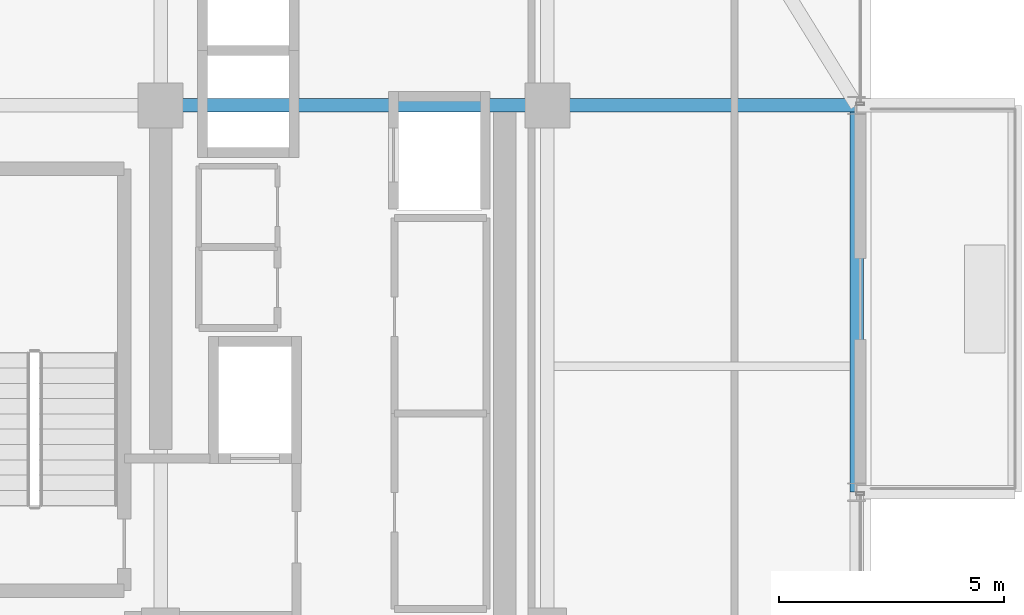
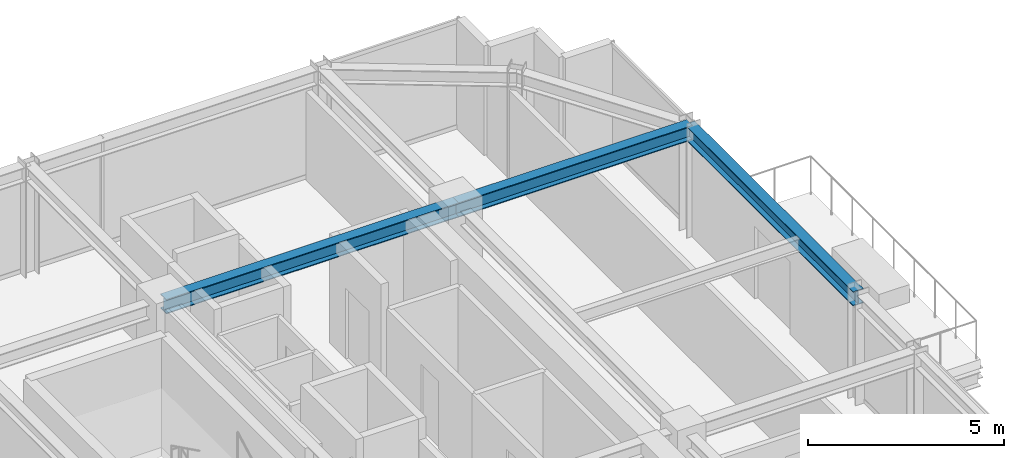
# One storey, part 25 of 36: 3 beams.
"""IFC4 building model written with IfcOpenShell, lengths in metres."""

import ifcopenshell
import ifcopenshell.guid

model = None  # the IFC model being written
_history = None  # IfcOwnerHistory: only IFC2X3 demands one
_inside = {}  # id of a spatial element -> (the spatial element, [elements in it])
_under = {}  # id of a project, library or spatial element -> (it, [spatial elements below it])
_declared = {}  # id of a project -> (the project, [libraries it declares])
_typed = {}  # id of a type object -> (the type object, [elements of that type])
_made_of = {}  # id of a material, layer set ... -> (it, [elements and type objects made of it])


def new_model(schema):
    """Start an empty IFC model of exactly this schema.

    Asked for "IFC4X3", IfcOpenShell would pick the latest addendum, in which some entities
    have other attributes; the version numbers below select the first issue.
    IFC2X3 requires an IfcOwnerHistory on every rooted entity: one is made here for all.
    """
    global model, _history
    if schema == "IFC4X3":
        model = ifcopenshell.file(schema_version=(4, 3, 0, 0))
    else:
        model = ifcopenshell.file(schema=schema)
    _inside.clear()
    _under.clear()
    _declared.clear()
    _typed.clear()
    _made_of.clear()
    _history = None
    if model.schema == "IFC2X3":
        org = make("IfcOrganization", Name="unknown")
        user = make(
            "IfcPersonAndOrganization",
            ThePerson=make("IfcPerson", FamilyName="unknown"),
            TheOrganization=org,
        )
        app = make(
            "IfcApplication",
            ApplicationDeveloper=org,
            Version="unknown",
            ApplicationFullName="unknown",
            ApplicationIdentifier="unknown",
        )
        _history = make(
            "IfcOwnerHistory",
            OwningUser=user,
            OwningApplication=app,
            ChangeAction="ADDED",
            CreationDate=0,
        )
    return model


def make(cls, **values):
    """One entity of the class cls with the attributes given. An attribute that is None is left unset."""
    return model.create_entity(
        cls, **{name: value for name, value in values.items() if value is not None}
    )


def rooted(cls, **values):
    """An entity with a GlobalId (a new one), such as an element, a storey or a relation."""
    return make(cls, GlobalId=ifcopenshell.guid.new(), OwnerHistory=_history, **values)


def si_unit(unit_type, name, prefix=None):
    """IfcSIUnit, for example si_unit("LENGTHUNIT", "METRE", prefix="MILLI")."""
    return make("IfcSIUnit", UnitType=unit_type, Prefix=prefix, Name=name)


def assignment(units):
    """IfcUnitAssignment: the units of a project."""
    return None if units is None else make("IfcUnitAssignment", Units=units)


def point(xyz):
    """IfcCartesianPoint."""
    return None if xyz is None else make("IfcCartesianPoint", Coordinates=xyz)


def direction(xyz):
    """IfcDirection."""
    return None if xyz is None else make("IfcDirection", DirectionRatios=xyz)


def frame(location, z_axis=None, x_axis=None):
    """IfcAxis2Placement3D, a coordinate frame: its origin and axes. An axis left out is left unset."""
    return make(
        "IfcAxis2Placement3D",
        Location=point(location),
        Axis=direction(z_axis),
        RefDirection=direction(x_axis),
    )


def frame_2d(location, x_axis=None):
    """IfcAxis2Placement2D, a coordinate frame in the plane: its origin and x axis."""
    return make(
        "IfcAxis2Placement2D", Location=point(location), RefDirection=direction(x_axis)
    )


def origin():
    """The frame at (0, 0, 0) with its axes left unset."""
    return frame((0.0, 0.0, 0.0))


def origin_2d():
    """The frame at (0, 0) in the plane with its x axis left unset."""
    return frame_2d((0.0, 0.0))


def place(relative_to, where):
    """IfcLocalPlacement: puts the frame where relative to a parent placement (None: the world)."""
    return make(
        "IfcLocalPlacement", PlacementRelTo=relative_to, RelativePlacement=where
    )


def context(
    kind, dimensions, precision=None, world=None, true_north=None, identifier=None
):
    """IfcGeometricRepresentationContext, for example the 3D "Model" context."""
    return make(
        "IfcGeometricRepresentationContext",
        ContextIdentifier=identifier,
        ContextType=kind,
        CoordinateSpaceDimension=dimensions,
        Precision=precision,
        WorldCoordinateSystem=world,
        TrueNorth=true_north,
    )


def subcontext(parent, identifier, kind, view, scale=None):
    """IfcGeometricRepresentationSubContext, for example "Body" below "Model"."""
    return make(
        "IfcGeometricRepresentationSubContext",
        ContextIdentifier=identifier,
        ContextType=kind,
        ParentContext=parent,
        TargetScale=scale,
        TargetView=view,
    )


def project(units=None, contexts=None):
    """IfcProject with its units and contexts."""
    return rooted(
        "IfcProject",
        Name="project",
        RepresentationContexts=contexts,
        UnitsInContext=assignment(units),
    )


def spatial(cls, under=None, at=None, **own):
    """A site, building, storey or space (cls), placed at a placement, below another one or the project."""
    s = rooted(cls, ObjectPlacement=at, **own)
    if under is not None:
        _under.setdefault(under.id(), (under, []))[1].append(s)
    return s


def profile(cls, at=None, kind="AREA", **sizes):
    """A parametric profile (cls). Its sizes go by their IFC names, for example OverallWidth=200.0."""
    return make(cls, ProfileType=kind, Position=at, **sizes)


def i_section(**sizes):
    """IfcIShapeProfileDef."""
    return profile("IfcIShapeProfileDef", **sizes)


def extrude(swept, where, along, depth):
    """IfcExtrudedAreaSolid: the profile swept, set in the frame where, extruded along a direction by depth."""
    return make(
        "IfcExtrudedAreaSolid",
        SweptArea=swept,
        Position=where,
        ExtrudedDirection=direction(along),
        Depth=depth,
    )


def shape(context_of_items, identifier, shape_type, items):
    """IfcShapeRepresentation: the items that make up one representation, for example the "Body"."""
    return make(
        "IfcShapeRepresentation",
        ContextOfItems=context_of_items,
        RepresentationIdentifier=identifier,
        RepresentationType=shape_type,
        Items=items,
    )


def source(mapping_origin, context_of_items, identifier, shape_type, items):
    """IfcRepresentationMap: a shape defined once, which mapped items show again and again."""
    return make(
        "IfcRepresentationMap",
        MappingOrigin=mapping_origin,
        MappedRepresentation=shape(context_of_items, identifier, shape_type, items),
    )


def transform(
    local_origin,
    x_axis=None,
    y_axis=None,
    z_axis=None,
    scale=None,
    scale2=None,
    scale3=None,
    uniform=True,
):
    """IfcCartesianTransformationOperator3D, or its non-uniform kind. x_axis, y_axis, z_axis: its Axis1, 2, 3."""
    if uniform:
        return make(
            "IfcCartesianTransformationOperator3D",
            Axis1=direction(x_axis),
            Axis2=direction(y_axis),
            LocalOrigin=point(local_origin),
            Scale=scale,
            Axis3=direction(z_axis),
        )
    return make(
        "IfcCartesianTransformationOperator3DnonUniform",
        Axis1=direction(x_axis),
        Axis2=direction(y_axis),
        LocalOrigin=point(local_origin),
        Scale=scale,
        Axis3=direction(z_axis),
        Scale2=scale2,
        Scale3=scale3,
    )


def mapped(mapping_source, mapping_target):
    """IfcMappedItem: shows the shape of a source again, moved by a transform."""
    return make(
        "IfcMappedItem", MappingSource=mapping_source, MappingTarget=mapping_target
    )


def material(Name=None, Category=None):
    """IfcMaterial."""
    return make("IfcMaterial", Name=Name, Category=Category)


def material_profile(
    of_material, cross_section, Name=None, Category=None, Priority=None
):
    """IfcMaterialProfile: a cross section and its material."""
    return make(
        "IfcMaterialProfile",
        Name=Name,
        Material=of_material,
        Profile=cross_section,
        Priority=Priority,
        Category=Category,
    )


def profile_set(profiles, Name=None, composite=None):
    """IfcMaterialProfileSet."""
    return make(
        "IfcMaterialProfileSet",
        Name=Name,
        MaterialProfiles=profiles,
        CompositeProfile=composite,
    )


def made_of(thing, what):
    """Note that an element or type object is made of a material, layer set ...; save() writes the relation."""
    if what is not None:
        _made_of.setdefault(what.id(), (what, []))[1].append(thing)
    return thing


def type_object(cls, material=None, **own):
    """A type object (cls), such as IfcWallType, which elements share."""
    return made_of(rooted(cls, **own), material)


def element(
    cls,
    number,
    at=None,
    inside=None,
    cuts=None,
    type_object=None,
    material=None,
    context=None,
    identifier="Body",
    shape_type=None,
    held_by="IfcProductDefinitionShape",
    body=None,
    shapes=None,
    **own,
):
    """One element of the class cls, such as IfcWall. Its Tag is "e" and its number.

    at: its placement. inside: the storey or other place that contains it. cuts: it is an
    opening in that element (IfcRelVoidsElement). A single representation is given by context,
    identifier, shape_type and body (its items); several are given by shapes. held_by: the class
    of the entity that holds the representations. save() writes the other relations.
    """
    e = rooted(cls, Tag="e%d" % number, ObjectPlacement=at, **own)
    if body is not None:
        shapes = [shape(context, identifier, shape_type, body)]
    if shapes is not None:
        e.Representation = make(held_by, Representations=shapes)
    if inside is not None:
        _inside.setdefault(inside.id(), (inside, []))[1].append(e)
    if cuts is not None:
        rooted(
            "IfcRelVoidsElement", RelatingBuildingElement=cuts, RelatedOpeningElement=e
        )
    if type_object is not None:
        _typed.setdefault(type_object.id(), (type_object, []))[1].append(e)
    return made_of(e, material)


def aggregate(whole, parts):
    """IfcRelAggregates: a whole, such as a stair, and the parts it consists of."""
    return rooted("IfcRelAggregates", RelatingObject=whole, RelatedObjects=parts)


def save(model, path):
    """Write the relations noted so far, then the file.

    IfcRelAggregates (storeys below a building ...), IfcRelContainedInSpatialStructure (elements
    in a storey), IfcRelDefinesByType, IfcRelAssociatesMaterial and IfcRelDeclares: one each for
    every whole, place, type object, material and project.
    """
    for whole, parts in _under.values():
        aggregate(whole, parts)
    for where, things in _inside.values():
        rooted(
            "IfcRelContainedInSpatialStructure",
            RelatedElements=things,
            RelatingStructure=where,
        )
    for kind, things in _typed.values():
        rooted("IfcRelDefinesByType", RelatedObjects=things, RelatingType=kind)
    for what, things in _made_of.values():
        rooted("IfcRelAssociatesMaterial", RelatedObjects=things, RelatingMaterial=what)
    for by, libraries in _declared.values():
        rooted("IfcRelDeclares", RelatingContext=by, RelatedDefinitions=libraries)
    model.write(path)


model = new_model("IFC4")

# Units and contexts
model_context = context("Model", 3, precision=1e-05, world=origin(), true_north=direction((0.0, 1.0)))
body_context = subcontext(model_context, "Body", "Model", "MODEL_VIEW")
ifc_project = project(units=[si_unit("LENGTHUNIT", "METRE"), si_unit("AREAUNIT", "SQUARE_METRE"), si_unit("VOLUMEUNIT", "CUBIC_METRE"), si_unit("PLANEANGLEUNIT", "RADIAN"), si_unit("MASSUNIT", "GRAM", prefix="KILO")], contexts=[model_context])

# Site, building, storey
site_placement = place(None, origin())
site = spatial("IfcSite", under=ifc_project, at=site_placement, CompositionType="ELEMENT")
building_placement = place(site_placement, origin())
building = spatial("IfcBuilding", under=site, at=building_placement, Name="Nahalor Promenade Grand Hotel", CompositionType="ELEMENT")
storey_placement = place(building_placement, frame((0.0, 0.0, 253.0)))
storey = spatial("IfcBuildingStorey", under=building, at=storey_placement, Name="L65", CompositionType="ELEMENT", Elevation=253.0)

# Beams
ifc_material = material(Name="Steel S355JR", Category="steel")
ifc_material_profile_1 = material_profile(ifc_material, i_section(OverallWidth=0.3, OverallDepth=0.45, WebThickness=0.014, FlangeThickness=0.026, at=origin_2d()), Name="HEB 450")
ifc_profile_set_1 = profile_set([ifc_material_profile_1], Name="Steel S355JR")
beam_type_1 = type_object("IfcBeamType", Name="Beam-Spandrel-HEB450", PredefinedType="SPANDREL", material=ifc_profile_set_1)
shared_shape_1 = source(origin(), body_context, "Body", "SweptSolid", [
    extrude(i_section(OverallWidth=0.3, OverallDepth=0.45, WebThickness=0.014, FlangeThickness=0.026, at=origin_2d()), origin(), (0.0, 0.0, 1.0), 8.60009765625),
])
beam_1_placement = place(storey_placement, frame((23.8798828125, 8.39990234375, 3.18505859375), z_axis=(0.0, 1.0, 0.0), x_axis=(-1.0, 0.0, 0.0)))
element("IfcBeam", 1, at=beam_1_placement, inside=storey, type_object=beam_type_1, Name="BM-L65-SP-E-4", PredefinedType="SPANDREL", context=body_context, shape_type="MappedRepresentation", body=[
    mapped(shared_shape_1, transform((0.0, 0.0, 0.0), scale=1.0)),
])
ifc_material_profile_2 = material_profile(ifc_material, i_section(OverallWidth=0.3, OverallDepth=0.45, WebThickness=0.014, FlangeThickness=0.026, at=origin_2d()), Name="HEB 450")
ifc_profile_set_2 = profile_set([ifc_material_profile_2], Name="Steel S355JR")
beam_type_2 = type_object("IfcBeamType", Name="Beam-Girder-HEB450", PredefinedType="BEAM", material=ifc_profile_set_2)
shared_shape_2 = source(origin(), body_context, "Body", "SweptSolid", [
    extrude(i_section(OverallWidth=0.3, OverallDepth=0.45, WebThickness=0.014, FlangeThickness=0.026, at=origin_2d()), origin(), (0.0, 0.0, 1.0), 6.8798828125),
])
beam_2_placement = place(storey_placement, frame((17.0, 17.0, 3.18505859375), z_axis=(1.0, 0.0, 0.0), x_axis=(0.0, 1.0, 0.0)))
element("IfcBeam", 2, at=beam_2_placement, inside=storey, type_object=beam_type_2, Name="BM-L65-GX-3-6", PredefinedType="BEAM", context=body_context, shape_type="MappedRepresentation", body=[
    mapped(shared_shape_2, transform((0.0, 0.0, 0.0), scale=1.0)),
])
shared_shape_3 = source(origin(), body_context, "Body", "SweptSolid", [
    extrude(i_section(OverallWidth=0.3, OverallDepth=0.45, WebThickness=0.014, FlangeThickness=0.026, at=origin_2d()), origin(), (0.0, 0.0, 1.0), 8.60009765625),
])
beam_3_placement = place(storey_placement, frame((8.39990234375, 17.0, 3.18505859375), z_axis=(1.0, 0.0, 0.0), x_axis=(0.0, 1.0, 0.0)))
element("IfcBeam", 3, at=beam_3_placement, inside=storey, type_object=beam_type_2, Name="BM-L65-GX-3-5", PredefinedType="BEAM", context=body_context, shape_type="MappedRepresentation", body=[
    mapped(shared_shape_3, transform((0.0, 0.0, 0.0), scale=1.0)),
])

save(model, "model.ifc")
